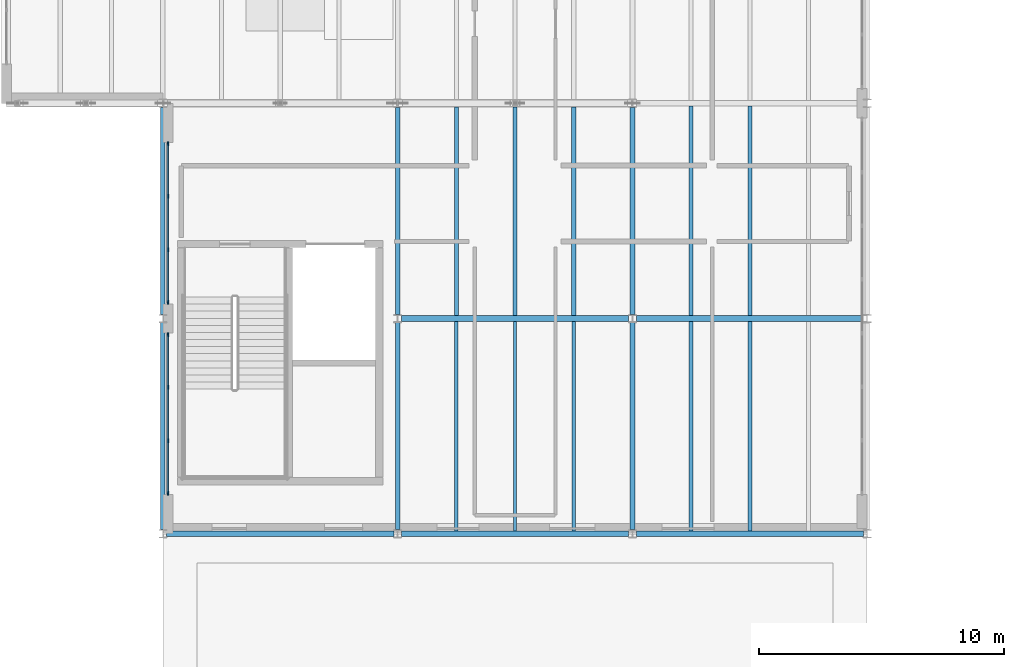
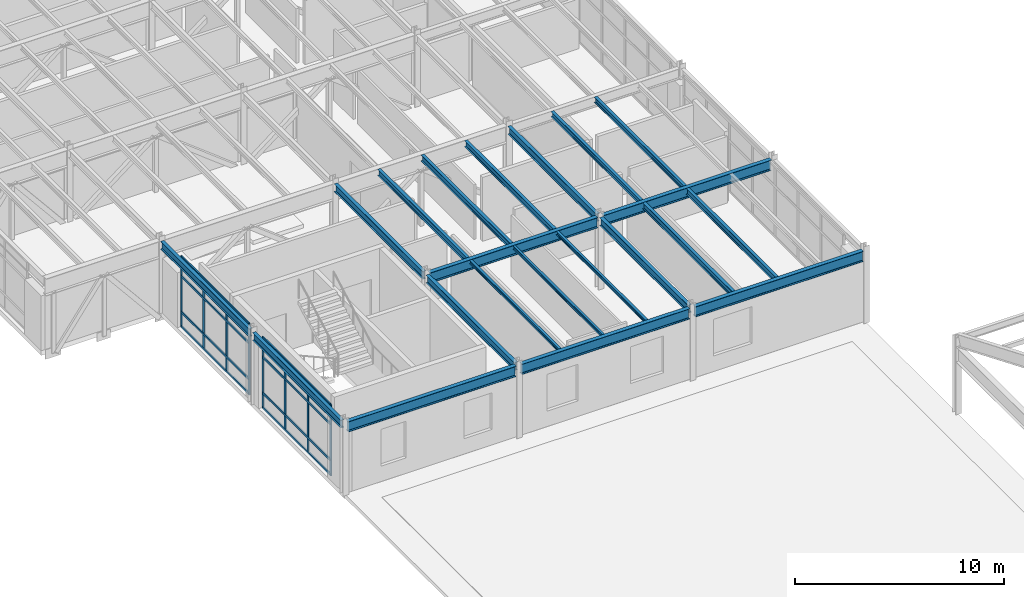
# One storey, part 19 of 88: 21 beams, 16 members, 2 elements without a shape of their own.
"""IFC4 building model written with IfcOpenShell, lengths in metres."""

from ifc_helpers import new_model, si_unit, direction, frame, origin, origin_2d, place, context, subcontext, project, spatial, rectangle, i_section, extrude, material, material_profile, profile_set, type_object, element, aggregate, save


model = new_model("IFC4")

# Units and contexts
model_context = context("Model", 3, precision=1e-05, world=origin(), true_north=direction((0.0, 1.0)))
body_context = subcontext(model_context, "Body", "Model", "MODEL_VIEW")
ifc_project = project(units=[si_unit("LENGTHUNIT", "METRE"), si_unit("AREAUNIT", "SQUARE_METRE"), si_unit("VOLUMEUNIT", "CUBIC_METRE"), si_unit("PLANEANGLEUNIT", "RADIAN"), si_unit("MASSUNIT", "GRAM", prefix="KILO")], contexts=[model_context])

# Site, building, storey
site_placement = place(None, origin())
site = spatial("IfcSite", under=ifc_project, at=site_placement, CompositionType="ELEMENT")
building_placement = place(site_placement, origin())
building = spatial("IfcBuilding", under=site, at=building_placement, Name="Sarnbrook Museum", CompositionType="ELEMENT")
storey_placement = place(building_placement, frame((0.0, 0.0, 10.10009765625)))
storey = spatial("IfcBuildingStorey", under=building, at=storey_placement, Name="L02", CompositionType="ELEMENT", Elevation=10.10009765625)

# Beams
ifc_material_1 = material(Name="Structural Steel Grade 300PLUS (AS/NZS 3679.1, fy = 280 MPa for 17 < t <= 40 mm, 300 MPa for t <= 17 mm)", Category="steel")
ifc_material_profile_1 = material_profile(ifc_material_1, i_section(OverallWidth=0.18994140625, OverallDepth=0.45703125, WebThickness=0.009033203125, FlangeThickness=0.014404296875, FilletRadius=0.011474609375, at=origin_2d()), Name="460UB74.6")
ifc_profile_set_1 = profile_set([ifc_material_profile_1], Name="Structural Steel Grade 300PLUS (AS/NZS 3679.1, fy = 280 MPa for 17 < t <= 40 mm, 300 MPa for t <= 17 mm)")
beam_type_1 = type_object("IfcBeamType", Name="BM-UB460", PredefinedType="BEAM", material=ifc_profile_set_1)
for number, where, z_axis, x_axis, name in (
    (1, (13.60009765625, 39.363525390625, 3.991455078125), (0.0, 1.0, 0.0), (-1.0, 0.0, 0.0), "Girder 2:E-F L02"),
    (2, (13.60009765625, 48.16357421875, 3.991455078125), (0.0, 1.0, 0.0), (-1.0, 0.0, 0.0), "Girder 2:F-G L02"),
    (3, (23.199951171875, 39.363525390625, 3.991455078125), (0.0, 1.0, 0.0), (-1.0, 0.0, 0.0), "Girder 3:E-F L02"),
    (4, (23.199951171875, 48.16357421875, 3.991455078125), (0.0, 1.0, 0.0), (-1.0, 0.0, 0.0), "Girder 3:F-G L02"),
    (5, (32.800048828125, 39.363525390625, 3.991455078125), (0.0, 1.0, 0.0), (-1.0, 0.0, 0.0), "Girder 4:E-F L02"),
    (6, (32.800048828125, 48.16357421875, 3.991455078125), (0.0, 1.0, 0.0), (-1.0, 0.0, 0.0), "Girder 4:F-G L02"),
):
    element("IfcBeam", number, at=place(storey_placement, frame(where, z_axis=z_axis, x_axis=x_axis)), inside=storey, type_object=beam_type_1, Name=name, PredefinedType="BEAM", context=body_context, shape_type="SweptSolid", body=[
        extrude(i_section(OverallWidth=0.18994140625, OverallDepth=0.45703125, WebThickness=0.009033203125, FlangeThickness=0.014404296875, FilletRadius=0.011474609375, at=origin_2d()), origin(), (0.0, 0.0, 1.0), 8.472900390625),
    ])
ifc_material_profile_2 = material_profile(ifc_material_1, i_section(OverallWidth=0.22802734375, OverallDepth=0.60693359375, WebThickness=0.01123046875, FlangeThickness=0.017333984375, FilletRadius=0.013916015625, at=origin_2d()), Name="610UB113")
ifc_profile_set_2 = profile_set([ifc_material_profile_2], Name="Structural Steel Grade 300PLUS (AS/NZS 3679.1, fy = 280 MPa for 17 < t <= 40 mm, 300 MPa for t <= 17 mm)")
beam_type_2 = type_object("IfcBeamType", Name="BM-UB610", PredefinedType="BEAM", material=ifc_profile_set_2)
beam_1_placement = place(storey_placement, frame((13.755615234375, 39.199951171875, 3.91650390625), z_axis=(1.0, 0.0, 0.0), x_axis=(0.0, 1.0, 0.0)))
element("IfcBeam", 7, at=beam_1_placement, inside=storey, type_object=beam_type_2, Name="Girder E:2-3 L02", PredefinedType="BEAM", context=body_context, shape_type="SweptSolid", body=[
    extrude(i_section(OverallWidth=0.22802734375, OverallDepth=0.60693359375, WebThickness=0.01123046875, FlangeThickness=0.017333984375, FilletRadius=0.013916015625, at=origin_2d()), origin(), (0.0, 0.0, 1.0), 9.288818359375),
])
beam_2_placement = place(storey_placement, frame((23.35546875, 39.199951171875, 3.91650390625), z_axis=(1.0, 0.0, 0.0), x_axis=(0.0, 1.0, 0.0)))
element("IfcBeam", 8, at=beam_2_placement, inside=storey, type_object=beam_type_2, Name="Girder E:3-4 L02", PredefinedType="BEAM", context=body_context, shape_type="SweptSolid", body=[
    extrude(i_section(OverallWidth=0.22802734375, OverallDepth=0.60693359375, WebThickness=0.01123046875, FlangeThickness=0.017333984375, FilletRadius=0.013916015625, at=origin_2d()), origin(), (0.0, 0.0, 1.0), 9.2890625),
])
beam_3_placement = place(storey_placement, frame((32.95556640625, 39.199951171875, 3.91650390625), z_axis=(1.0, 0.0, 0.0), x_axis=(0.0, 1.0, 0.0)))
element("IfcBeam", 9, at=beam_3_placement, inside=storey, type_object=beam_type_2, Name="Girder E:4-5 L02", PredefinedType="BEAM", context=body_context, shape_type="SweptSolid", body=[
    extrude(i_section(OverallWidth=0.22802734375, OverallDepth=0.60693359375, WebThickness=0.01123046875, FlangeThickness=0.017333984375, FilletRadius=0.013916015625, at=origin_2d()), origin(), (0.0, 0.0, 1.0), 9.288818359375),
])
beam_4_placement = place(storey_placement, frame((23.35546875, 48.0, 3.91650390625), z_axis=(1.0, 0.0, 0.0), x_axis=(0.0, 1.0, 0.0)))
element("IfcBeam", 10, at=beam_4_placement, inside=storey, type_object=beam_type_2, Name="Girder F:3-4 L02", PredefinedType="BEAM", context=body_context, shape_type="SweptSolid", body=[
    extrude(i_section(OverallWidth=0.22802734375, OverallDepth=0.60693359375, WebThickness=0.01123046875, FlangeThickness=0.017333984375, FilletRadius=0.013916015625, at=origin_2d()), origin(), (0.0, 0.0, 1.0), 9.2890625),
])
beam_5_placement = place(storey_placement, frame((32.95556640625, 48.0, 3.91650390625), z_axis=(1.0, 0.0, 0.0), x_axis=(0.0, 1.0, 0.0)))
element("IfcBeam", 11, at=beam_5_placement, inside=storey, type_object=beam_type_2, Name="Girder F:4-5 L02", PredefinedType="BEAM", context=body_context, shape_type="SweptSolid", body=[
    extrude(i_section(OverallWidth=0.22802734375, OverallDepth=0.60693359375, WebThickness=0.01123046875, FlangeThickness=0.017333984375, FilletRadius=0.013916015625, at=origin_2d()), origin(), (0.0, 0.0, 1.0), 9.288818359375),
])

# Curtain wall, members
ifc_material_2 = material(Name="Thermally Broken Anodised Aluminium 6063-T6", Category="aluminium")
curtain_wall_type = type_object("IfcCurtainWallType", Name="CurtainWall_GalleryRibbon", PredefinedType="NOTDEFINED", material=ifc_material_2)
curtain_wall_1_placement = place(storey_placement, origin())
curtain_wall_1 = element("IfcCurtainWall", 12, at=curtain_wall_1_placement, inside=storey, type_object=curtain_wall_type, Name="Gallery Ribbon Curtain Wall L02-10.1", PredefinedType="NOTDEFINED")
ifc_material_profile_3 = material_profile(ifc_material_2, rectangle(XDim=0.06005859375, YDim=0.159912109375, at=origin_2d()), Name="ALU MULLION 60x160")
ifc_profile_set_3 = profile_set([ifc_material_profile_3], Name="Thermally Broken Anodised Aluminium 6063-T6")
member_type_1 = type_object("IfcMemberType", Name="CW_Mullion_150x65", PredefinedType="MULLION", material=ifc_profile_set_3)
member_1_placement = place(storey_placement, frame((13.81005859375, 55.139892578125, 0.0), z_axis=(0.0, 0.0, 1.0), x_axis=(1.0, 0.0, 0.0)))
member_1 = element("IfcMember", 13, at=member_1_placement, type_object=member_type_1, Name="Gallery Ribbon Curtain Wall L02-10.1 Mullion 1", PredefinedType="MULLION", context=body_context, shape_type="SweptSolid", body=[
    extrude(rectangle(XDim=0.06005859375, YDim=0.159912109375, at=origin_2d()), origin(), (0.0, 0.0, 1.0), 4.159912109375),
])
member_2_placement = place(storey_placement, frame((13.81005859375, 52.993408203125, 0.0), z_axis=(0.0, 0.0, 1.0), x_axis=(1.0, 0.0, 0.0)))
member_2 = element("IfcMember", 14, at=member_2_placement, type_object=member_type_1, Name="Gallery Ribbon Curtain Wall L02-10.1 Mullion 2", PredefinedType="MULLION", context=body_context, shape_type="SweptSolid", body=[
    extrude(rectangle(XDim=0.06005859375, YDim=0.159912109375, at=origin_2d()), origin(), (0.0, 0.0, 1.0), 4.159912109375),
])
member_3_placement = place(storey_placement, frame((13.81005859375, 50.806640625, 0.0), z_axis=(0.0, 0.0, 1.0), x_axis=(1.0, 0.0, 0.0)))
member_3 = element("IfcMember", 15, at=member_3_placement, type_object=member_type_1, Name="Gallery Ribbon Curtain Wall L02-10.1 Mullion 3", PredefinedType="MULLION", context=body_context, shape_type="SweptSolid", body=[
    extrude(rectangle(XDim=0.06005859375, YDim=0.159912109375, at=origin_2d()), origin(), (0.0, 0.0, 1.0), 4.159912109375),
])
member_4_placement = place(storey_placement, frame((13.81005859375, 48.659912109375, 0.0), z_axis=(0.0, 0.0, 1.0), x_axis=(1.0, 0.0, 0.0)))
member_4 = element("IfcMember", 16, at=member_4_placement, type_object=member_type_1, Name="Gallery Ribbon Curtain Wall L02-10.1 Mullion 4", PredefinedType="MULLION", context=body_context, shape_type="SweptSolid", body=[
    extrude(rectangle(XDim=0.06005859375, YDim=0.159912109375, at=origin_2d()), origin(), (0.0, 0.0, 1.0), 4.159912109375),
])

curtain_wall_2_placement = place(storey_placement, origin())
curtain_wall_2 = element("IfcCurtainWall", 17, at=curtain_wall_2_placement, inside=storey, type_object=curtain_wall_type, Name="Gallery Ribbon Curtain Wall L02-10.2", PredefinedType="NOTDEFINED")
member_5_placement = place(storey_placement, frame((13.81005859375, 47.340087890625, 0.0), z_axis=(0.0, 0.0, 1.0), x_axis=(1.0, 0.0, 0.0)))
member_5 = element("IfcMember", 18, at=member_5_placement, type_object=member_type_1, Name="Gallery Ribbon Curtain Wall L02-10.2 Mullion 1", PredefinedType="MULLION", context=body_context, shape_type="SweptSolid", body=[
    extrude(rectangle(XDim=0.06005859375, YDim=0.159912109375, at=origin_2d()), origin(), (0.0, 0.0, 1.0), 4.159912109375),
])
member_6_placement = place(storey_placement, frame((13.81005859375, 45.193359375, 0.0), z_axis=(0.0, 0.0, 1.0), x_axis=(1.0, 0.0, 0.0)))
member_6 = element("IfcMember", 19, at=member_6_placement, type_object=member_type_1, Name="Gallery Ribbon Curtain Wall L02-10.2 Mullion 2", PredefinedType="MULLION", context=body_context, shape_type="SweptSolid", body=[
    extrude(rectangle(XDim=0.06005859375, YDim=0.159912109375, at=origin_2d()), origin(), (0.0, 0.0, 1.0), 4.159912109375),
])
member_7_placement = place(storey_placement, frame((13.81005859375, 43.006591796875, 0.0), z_axis=(0.0, 0.0, 1.0), x_axis=(1.0, 0.0, 0.0)))
member_7 = element("IfcMember", 20, at=member_7_placement, type_object=member_type_1, Name="Gallery Ribbon Curtain Wall L02-10.2 Mullion 3", PredefinedType="MULLION", context=body_context, shape_type="SweptSolid", body=[
    extrude(rectangle(XDim=0.06005859375, YDim=0.159912109375, at=origin_2d()), origin(), (0.0, 0.0, 1.0), 4.159912109375),
])
member_8_placement = place(storey_placement, frame((13.81005859375, 40.860107421875, 0.0), z_axis=(0.0, 0.0, 1.0), x_axis=(1.0, 0.0, 0.0)))
member_8 = element("IfcMember", 21, at=member_8_placement, type_object=member_type_1, Name="Gallery Ribbon Curtain Wall L02-10.2 Mullion 4", PredefinedType="MULLION", context=body_context, shape_type="SweptSolid", body=[
    extrude(rectangle(XDim=0.06005859375, YDim=0.159912109375, at=origin_2d()), origin(), (0.0, 0.0, 1.0), 4.159912109375),
])

# Member
ifc_material_profile_4 = material_profile(ifc_material_2, rectangle(XDim=0.06494140625, YDim=0.139892578125, at=origin_2d()), Name="ALU TRANSOM 65x140")
ifc_profile_set_4 = profile_set([ifc_material_profile_4], Name="Thermally Broken Anodised Aluminium 6063-T6")
member_type_2 = type_object("IfcMemberType", Name="CW_Transom_150x65", PredefinedType="USERDEFINED", material=ifc_profile_set_4)
member_9_placement = place(storey_placement, frame((13.81005859375, 55.1298828125, 0.039794921875), z_axis=(0.0, -1.0, 0.0), x_axis=(1.0, 0.0, 0.0)))
member_9 = element("IfcMember", 22, at=member_9_placement, type_object=member_type_2, Name="Gallery Ribbon Curtain Wall L02-10.1 Transom 1", ObjectType="TRANSOM", PredefinedType="USERDEFINED", context=body_context, shape_type="SweptSolid", body=[
    extrude(rectangle(XDim=0.06494140625, YDim=0.139892578125, at=origin_2d()), origin(), (0.0, 0.0, 1.0), 6.4599609375),
])

member_10_placement = place(storey_placement, frame((13.81005859375, 55.1298828125, 0.89990234375), z_axis=(0.0, -1.0, 0.0), x_axis=(1.0, 0.0, 0.0)))
member_10 = element("IfcMember", 23, at=member_10_placement, type_object=member_type_2, Name="Gallery Ribbon Curtain Wall L02-10.1 Transom 2", ObjectType="TRANSOM", PredefinedType="USERDEFINED", context=body_context, shape_type="SweptSolid", body=[
    extrude(rectangle(XDim=0.06494140625, YDim=0.139892578125, at=origin_2d()), origin(), (0.0, 0.0, 1.0), 6.4599609375),
])

member_11_placement = place(storey_placement, frame((13.81005859375, 55.1298828125, 3.0), z_axis=(0.0, -1.0, 0.0), x_axis=(1.0, 0.0, 0.0)))
member_11 = element("IfcMember", 24, at=member_11_placement, type_object=member_type_2, Name="Gallery Ribbon Curtain Wall L02-10.1 Transom 3", ObjectType="TRANSOM", PredefinedType="USERDEFINED", context=body_context, shape_type="SweptSolid", body=[
    extrude(rectangle(XDim=0.06494140625, YDim=0.139892578125, at=origin_2d()), origin(), (0.0, 0.0, 1.0), 6.4599609375),
])

member_12_placement = place(storey_placement, frame((13.81005859375, 55.1298828125, 4.119873046875), z_axis=(0.0, -1.0, 0.0), x_axis=(1.0, 0.0, 0.0)))
member_12 = element("IfcMember", 25, at=member_12_placement, type_object=member_type_2, Name="Gallery Ribbon Curtain Wall L02-10.1 Transom 4", ObjectType="TRANSOM", PredefinedType="USERDEFINED", context=body_context, shape_type="SweptSolid", body=[
    extrude(rectangle(XDim=0.06494140625, YDim=0.139892578125, at=origin_2d()), origin(), (0.0, 0.0, 1.0), 6.4599609375),
])

aggregate(curtain_wall_1, [member_1, member_2, member_3, member_4, member_9, member_10, member_11, member_12])

member_13_placement = place(storey_placement, frame((13.81005859375, 47.330078125, 0.039794921875), z_axis=(0.0, -1.0, 0.0), x_axis=(1.0, 0.0, 0.0)))
member_13 = element("IfcMember", 26, at=member_13_placement, type_object=member_type_2, Name="Gallery Ribbon Curtain Wall L02-10.2 Transom 1", ObjectType="TRANSOM", PredefinedType="USERDEFINED", context=body_context, shape_type="SweptSolid", body=[
    extrude(rectangle(XDim=0.06494140625, YDim=0.139892578125, at=origin_2d()), origin(), (0.0, 0.0, 1.0), 6.4599609375),
])

member_14_placement = place(storey_placement, frame((13.81005859375, 47.330078125, 0.89990234375), z_axis=(0.0, -1.0, 0.0), x_axis=(1.0, 0.0, 0.0)))
member_14 = element("IfcMember", 27, at=member_14_placement, type_object=member_type_2, Name="Gallery Ribbon Curtain Wall L02-10.2 Transom 2", ObjectType="TRANSOM", PredefinedType="USERDEFINED", context=body_context, shape_type="SweptSolid", body=[
    extrude(rectangle(XDim=0.06494140625, YDim=0.139892578125, at=origin_2d()), origin(), (0.0, 0.0, 1.0), 6.4599609375),
])

member_15_placement = place(storey_placement, frame((13.81005859375, 47.330078125, 3.0), z_axis=(0.0, -1.0, 0.0), x_axis=(1.0, 0.0, 0.0)))
member_15 = element("IfcMember", 28, at=member_15_placement, type_object=member_type_2, Name="Gallery Ribbon Curtain Wall L02-10.2 Transom 3", ObjectType="TRANSOM", PredefinedType="USERDEFINED", context=body_context, shape_type="SweptSolid", body=[
    extrude(rectangle(XDim=0.06494140625, YDim=0.139892578125, at=origin_2d()), origin(), (0.0, 0.0, 1.0), 6.4599609375),
])

member_16_placement = place(storey_placement, frame((13.81005859375, 47.330078125, 4.119873046875), z_axis=(0.0, -1.0, 0.0), x_axis=(1.0, 0.0, 0.0)))
member_16 = element("IfcMember", 29, at=member_16_placement, type_object=member_type_2, Name="Gallery Ribbon Curtain Wall L02-10.2 Transom 4", ObjectType="TRANSOM", PredefinedType="USERDEFINED", context=body_context, shape_type="SweptSolid", body=[
    extrude(rectangle(XDim=0.06494140625, YDim=0.139892578125, at=origin_2d()), origin(), (0.0, 0.0, 1.0), 6.4599609375),
])

aggregate(curtain_wall_2, [member_5, member_6, member_7, member_8, member_13, member_14, member_15, member_16])

# Beams
ifc_material_profile_5 = material_profile(ifc_material_1, i_section(OverallWidth=0.134033203125, OverallDepth=0.20703125, WebThickness=0.00634765625, FlangeThickness=0.009521484375, FilletRadius=0.0087890625, at=origin_2d()), Name="200UB29.8")
ifc_profile_set_5 = profile_set([ifc_material_profile_5], Name="Structural Steel Grade 300PLUS (AS/NZS 3679.1, fy = 280 MPa for 17 < t <= 40 mm, 300 MPa for t <= 17 mm)")
beam_type_3 = type_object("IfcBeamType", Name="JS-UB200", PredefinedType="JOIST", material=ifc_profile_set_5)
for number, where, z_axis, x_axis, name in (
    (30, (25.60009765625, 39.31396484375, 4.116455078125), (0.0, 1.0, 0.0), (-1.0, 0.0, 0.0), "Composite Floor Joist 3E-1 L02"),
    (31, (28.0, 39.31396484375, 4.116455078125), (0.0, 1.0, 0.0), (-1.0, 0.0, 0.0), "Composite Floor Joist 3E-2 L02"),
    (32, (30.39990234375, 39.31396484375, 4.116455078125), (0.0, 1.0, 0.0), (-1.0, 0.0, 0.0), "Composite Floor Joist 3E-3 L02"),
):
    element("IfcBeam", number, at=place(storey_placement, frame(where, z_axis=z_axis, x_axis=x_axis)), inside=storey, type_object=beam_type_3, Name=name, PredefinedType="JOIST", context=body_context, shape_type="SweptSolid", body=[
        extrude(i_section(OverallWidth=0.134033203125, OverallDepth=0.20703125, WebThickness=0.00634765625, FlangeThickness=0.009521484375, FilletRadius=0.0087890625, at=origin_2d()), origin(), (0.0, 0.0, 1.0), 8.572021484375),
    ])
ifc_material_profile_6 = material_profile(ifc_material_1, i_section(OverallWidth=0.166015625, OverallDepth=0.306884765625, WebThickness=0.006591796875, FlangeThickness=0.01171875, FilletRadius=0.011474609375, at=origin_2d()), Name="310UB46.2")
ifc_profile_set_6 = profile_set([ifc_material_profile_6], Name="Structural Steel Grade 300PLUS (AS/NZS 3679.1, fy = 280 MPa for 17 < t <= 40 mm, 300 MPa for t <= 17 mm)")
beam_type_4 = type_object("IfcBeamType", Name="JS-UB310H", PredefinedType="JOIST", material=ifc_profile_set_6)
for number, where, z_axis, x_axis, name in (
    (33, (35.199951171875, 48.114013671875, 4.06640625), (0.0, 1.0, 0.0), (-1.0, 0.0, 0.0), "Composite Floor Joist 4F-1 L02"),
    (34, (37.60009765625, 48.114013671875, 4.06640625), (0.0, 1.0, 0.0), (-1.0, 0.0, 0.0), "Composite Floor Joist 4F-2 L02"),
):
    element("IfcBeam", number, at=place(storey_placement, frame(where, z_axis=z_axis, x_axis=x_axis)), inside=storey, type_object=beam_type_4, Name=name, PredefinedType="JOIST", context=body_context, shape_type="SweptSolid", body=[
        extrude(i_section(OverallWidth=0.166015625, OverallDepth=0.306884765625, WebThickness=0.006591796875, FlangeThickness=0.01171875, FilletRadius=0.011474609375, at=origin_2d()), origin(), (0.0, 0.0, 1.0), 8.572021484375),
    ])
ifc_material_profile_7 = material_profile(ifc_material_1, i_section(OverallWidth=0.1708984375, OverallDepth=0.35595703125, WebThickness=0.00732421875, FlangeThickness=0.011474609375, FilletRadius=0.011474609375, at=origin_2d()), Name="360UB50.7")
ifc_profile_set_7 = profile_set([ifc_material_profile_7], Name="Structural Steel Grade 300PLUS (AS/NZS 3679.1, fy = 280 MPa for 17 < t <= 40 mm, 300 MPa for t <= 17 mm)")
beam_type_5 = type_object("IfcBeamType", Name="JS-UB360", PredefinedType="JOIST", material=ifc_profile_set_7)
for number, where, z_axis, x_axis, name in (
    (35, (25.60009765625, 48.114013671875, 4.0419921875), (0.0, 1.0, 0.0), (-1.0, 0.0, 0.0), "Composite Floor Joist 3F-1 L02"),
    (36, (28.0, 48.114013671875, 4.0419921875), (0.0, 1.0, 0.0), (-1.0, 0.0, 0.0), "Composite Floor Joist 3F-2 L02"),
    (37, (30.39990234375, 48.114013671875, 4.0419921875), (0.0, 1.0, 0.0), (-1.0, 0.0, 0.0), "Composite Floor Joist 3F-3 L02"),
):
    element("IfcBeam", number, at=place(storey_placement, frame(where, z_axis=z_axis, x_axis=x_axis)), inside=storey, type_object=beam_type_5, Name=name, PredefinedType="JOIST", context=body_context, shape_type="SweptSolid", body=[
        extrude(i_section(OverallWidth=0.1708984375, OverallDepth=0.35595703125, WebThickness=0.00732421875, FlangeThickness=0.011474609375, FilletRadius=0.011474609375, at=origin_2d()), origin(), (0.0, 0.0, 1.0), 8.535888671875),
    ])
for number, where, z_axis, x_axis, name in (
    (38, (35.199951171875, 39.31396484375, 4.0419921875), (0.0, 1.0, 0.0), (-1.0, 0.0, 0.0), "Composite Floor Joist 4E-1 L02"),
    (39, (37.60009765625, 39.31396484375, 4.0419921875), (0.0, 1.0, 0.0), (-1.0, 0.0, 0.0), "Composite Floor Joist 4E-2 L02"),
):
    element("IfcBeam", number, at=place(storey_placement, frame(where, z_axis=z_axis, x_axis=x_axis)), inside=storey, type_object=beam_type_5, Name=name, PredefinedType="JOIST", context=body_context, shape_type="SweptSolid", body=[
        extrude(i_section(OverallWidth=0.1708984375, OverallDepth=0.35595703125, WebThickness=0.00732421875, FlangeThickness=0.011474609375, FilletRadius=0.011474609375, at=origin_2d()), origin(), (0.0, 0.0, 1.0), 8.572021484375),
    ])

save(model, "model.ifc")
